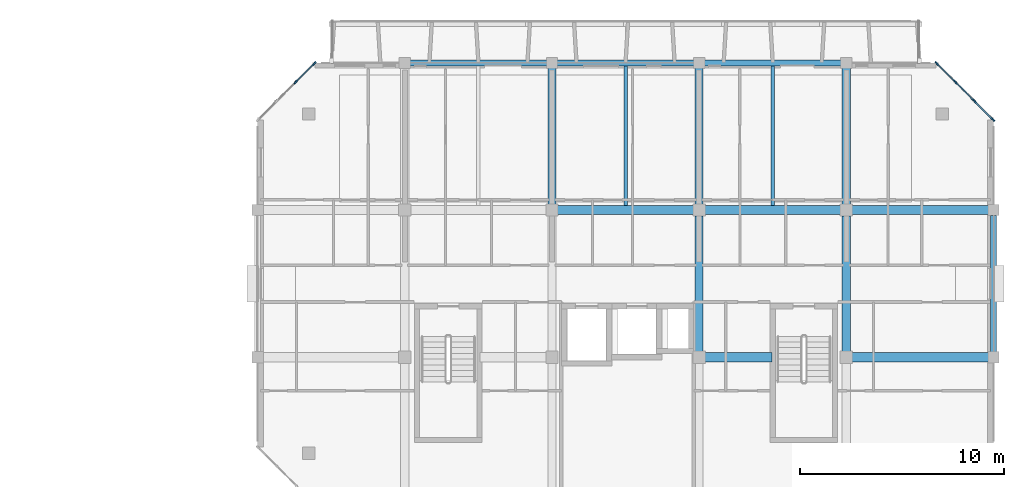
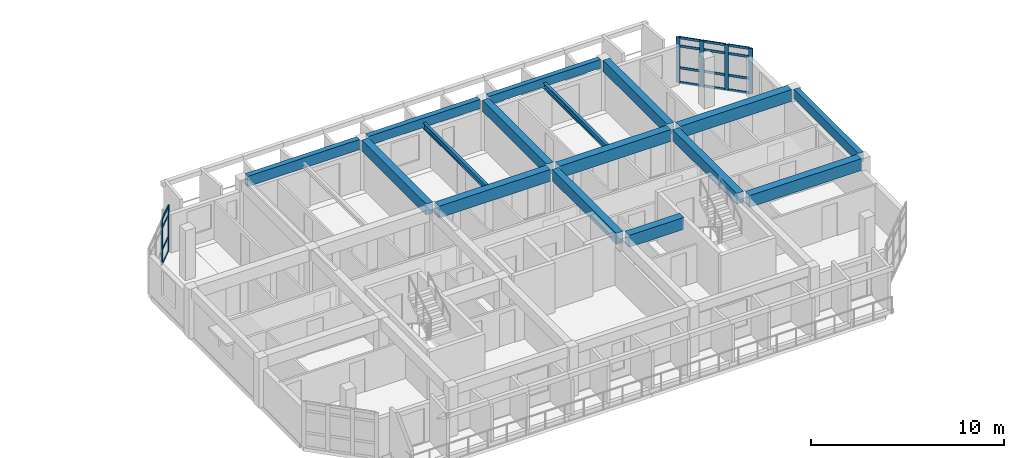
# One storey, part 11 of 51: 22 members, 16 beams, 2 elements without a shape of their own.
"""IFC4 building model written with IfcOpenShell, lengths in metres."""

from ifc_helpers import new_model, si_unit, direction, frame, origin, origin_2d, place, context, subcontext, project, spatial, rectangle, i_section, extrude, material, layer, layer_set, material_profile, profile_set, type_object, element, aggregate, save


model = new_model("IFC4")

# Units and contexts
model_context = context("Model", 3, precision=1e-05, world=origin(), true_north=direction((0.0, 1.0)))
body_context = subcontext(model_context, "Body", "Model", "MODEL_VIEW")
ifc_project = project(units=[si_unit("LENGTHUNIT", "METRE"), si_unit("AREAUNIT", "SQUARE_METRE"), si_unit("VOLUMEUNIT", "CUBIC_METRE"), si_unit("PLANEANGLEUNIT", "RADIAN"), si_unit("MASSUNIT", "GRAM", prefix="KILO")], contexts=[model_context])

# Site, building, storey
site_placement = place(None, origin())
site = spatial("IfcSite", under=ifc_project, at=site_placement, CompositionType="ELEMENT")
building_placement = place(site_placement, origin())
building = spatial("IfcBuilding", under=site, at=building_placement, Name="Ochrevale Crest", CompositionType="ELEMENT")
storey_placement = place(building_placement, frame((0.0, 0.0, 11.85009765625)))
storey = spatial("IfcBuildingStorey", under=building, at=storey_placement, Name="L03", CompositionType="ELEMENT", Elevation=11.85009765625)

# Beams
ifc_material_1 = material(Name="Precast concrete C50/60", Category="concrete")
ifc_material_profile_1 = material_profile(ifc_material_1, rectangle(XDim=0.39990234375, YDim=0.699951171875, at=origin_2d()), Name="PC 400x700")
ifc_profile_set_1 = profile_set([ifc_material_profile_1], Name="Precast concrete C50/60")
beam_type_1 = type_object("IfcBeamType", Name="BM-PC400x700", PredefinedType="BEAM", material=ifc_profile_set_1)
beam_1_placement = place(storey_placement, frame((144.0, 86.679931640625, 2.7998046875), z_axis=(0.0, 1.0, 0.0), x_axis=(-1.0, 0.0, 0.0)))
element("IfcBeam", 1, at=beam_1_placement, inside=storey, type_object=beam_type_1, Name="Block D L03 N-S beam X=144.0", PredefinedType="BEAM", context=body_context, shape_type="SweptSolid", body=[
    extrude(rectangle(XDim=0.39990234375, YDim=0.699951171875, at=origin_2d()), origin(), (0.0, 0.0, 1.0), 6.6650390625),
])
beam_2_placement = place(storey_placement, frame((151.199951171875, 79.47998046875, 2.7998046875), z_axis=(0.0, 1.0, 0.0), x_axis=(-1.0, 0.0, 0.0)))
element("IfcBeam", 2, at=beam_2_placement, inside=storey, type_object=beam_type_1, Name="Block D L03 N-S beam X=151.2", PredefinedType="BEAM", context=body_context, shape_type="SweptSolid", body=[
    extrude(rectangle(XDim=0.39990234375, YDim=0.699951171875, at=origin_2d()), origin(), (0.0, 0.0, 1.0), 6.64013671875),
])
beam_3_placement = place(storey_placement, frame((151.199951171875, 86.679931640625, 2.7998046875), z_axis=(0.0, 1.0, 0.0), x_axis=(-1.0, 0.0, 0.0)))
element("IfcBeam", 3, at=beam_3_placement, inside=storey, type_object=beam_type_1, Name="Block D L03 N-S beam X=151.2", PredefinedType="BEAM", context=body_context, shape_type="SweptSolid", body=[
    extrude(rectangle(XDim=0.39990234375, YDim=0.699951171875, at=origin_2d()), origin(), (0.0, 0.0, 1.0), 6.6650390625),
])
beam_4_placement = place(storey_placement, frame((158.39990234375, 79.47998046875, 2.7998046875), z_axis=(0.0, 1.0, 0.0), x_axis=(-1.0, 0.0, 0.0)))
element("IfcBeam", 4, at=beam_4_placement, inside=storey, type_object=beam_type_1, Name="Block D L03 N-S beam X=158.4", PredefinedType="BEAM", context=body_context, shape_type="SweptSolid", body=[
    extrude(rectangle(XDim=0.39990234375, YDim=0.699951171875, at=origin_2d()), origin(), (0.0, 0.0, 1.0), 6.64013671875),
])
beam_5_placement = place(storey_placement, frame((158.39990234375, 86.679931640625, 2.7998046875), z_axis=(0.0, 1.0, 0.0), x_axis=(-1.0, 0.0, 0.0)))
element("IfcBeam", 5, at=beam_5_placement, inside=storey, type_object=beam_type_1, Name="Block D L03 N-S beam X=158.4", PredefinedType="BEAM", context=body_context, shape_type="SweptSolid", body=[
    extrude(rectangle(XDim=0.39990234375, YDim=0.699951171875, at=origin_2d()), origin(), (0.0, 0.0, 1.0), 6.6650390625),
])
ifc_material_2 = material(Name="Concrete C50/60", Category="concrete")
ifc_material_profile_2 = material_profile(ifc_material_2, rectangle(XDim=0.449951171875, YDim=0.75, at=origin_2d()), Name="RC 450x750")
ifc_profile_set_2 = profile_set([ifc_material_profile_2], Name="Concrete C50/60")
beam_type_2 = type_object("IfcBeamType", Name="BM-PG450x750", PredefinedType="USERDEFINED", material=ifc_profile_set_2)
beam_6_placement = place(storey_placement, frame((151.47509765625, 79.199951171875, 2.77490234375), z_axis=(1.0, 0.0, 0.0), x_axis=(0.0, 1.0, 0.0)))
element("IfcBeam", 6, at=beam_6_placement, inside=storey, type_object=beam_type_2, Name="Block D L03 E-W beam Y=79.2", ObjectType="GIRDER", PredefinedType="USERDEFINED", context=body_context, shape_type="SweptSolid", body=[
    extrude(rectangle(XDim=0.449951171875, YDim=0.75, at=origin_2d()), origin(), (0.0, 0.0, 1.0), 3.284912109375),
])
beam_7_placement = place(storey_placement, frame((158.675048828125, 79.199951171875, 2.77490234375), z_axis=(1.0, 0.0, 0.0), x_axis=(0.0, 1.0, 0.0)))
element("IfcBeam", 7, at=beam_7_placement, inside=storey, type_object=beam_type_2, Name="Block D L03 E-W beam Y=79.2", ObjectType="GIRDER", PredefinedType="USERDEFINED", context=body_context, shape_type="SweptSolid", body=[
    extrude(rectangle(XDim=0.449951171875, YDim=0.75, at=origin_2d()), origin(), (0.0, 0.0, 1.0), 6.675048828125),
])
beam_8_placement = place(storey_placement, frame((144.27490234375, 86.39990234375, 2.77490234375), z_axis=(1.0, 0.0, 0.0), x_axis=(0.0, 1.0, 0.0)))
element("IfcBeam", 8, at=beam_8_placement, inside=storey, type_object=beam_type_2, Name="Block D L03 E-W beam Y=86.4", ObjectType="GIRDER", PredefinedType="USERDEFINED", context=body_context, shape_type="SweptSolid", body=[
    extrude(rectangle(XDim=0.449951171875, YDim=0.75, at=origin_2d()), origin(), (0.0, 0.0, 1.0), 6.650146484375),
])
beam_9_placement = place(storey_placement, frame((151.47509765625, 86.39990234375, 2.77490234375), z_axis=(1.0, 0.0, 0.0), x_axis=(0.0, 1.0, 0.0)))
element("IfcBeam", 9, at=beam_9_placement, inside=storey, type_object=beam_type_2, Name="Block D L03 E-W beam Y=86.4", ObjectType="GIRDER", PredefinedType="USERDEFINED", context=body_context, shape_type="SweptSolid", body=[
    extrude(rectangle(XDim=0.449951171875, YDim=0.75, at=origin_2d()), origin(), (0.0, 0.0, 1.0), 6.64990234375),
])
beam_10_placement = place(storey_placement, frame((158.675048828125, 86.39990234375, 2.77490234375), z_axis=(1.0, 0.0, 0.0), x_axis=(0.0, 1.0, 0.0)))
element("IfcBeam", 10, at=beam_10_placement, inside=storey, type_object=beam_type_2, Name="Block D L03 E-W beam Y=86.4", ObjectType="GIRDER", PredefinedType="USERDEFINED", context=body_context, shape_type="SweptSolid", body=[
    extrude(rectangle(XDim=0.449951171875, YDim=0.75, at=origin_2d()), origin(), (0.0, 0.0, 1.0), 6.675048828125),
])
ifc_material_3 = material(Name="Precast concrete C40/50", Category="concrete")
ifc_material_profile_3 = material_profile(ifc_material_3, rectangle(XDim=0.280029296875, YDim=0.550048828125, at=origin_2d()), Name="PC 280x550")
ifc_profile_set_3 = profile_set([ifc_material_profile_3], Name="Precast concrete C40/50")
beam_type_3 = type_object("IfcBeamType", Name="BM-SP280x550", PredefinedType="SPANDREL", material=ifc_profile_set_3)
beam_11_placement = place(storey_placement, frame((151.449951171875, 93.60009765625, 2.875), z_axis=(1.0, 0.0, 0.0), x_axis=(0.0, 1.0, 0.0)))
element("IfcBeam", 11, at=beam_11_placement, inside=storey, type_object=beam_type_3, Name="Block D L03 E-W beam Y=93.6", PredefinedType="SPANDREL", context=body_context, shape_type="SweptSolid", body=[
    extrude(rectangle(XDim=0.280029296875, YDim=0.550048828125, at=origin_2d()), origin(), (0.0, 0.0, 1.0), 6.699951171875),
])
ifc_material_profile_4 = material_profile(ifc_material_3, rectangle(XDim=0.300048828125, YDim=0.580078125, at=origin_2d()), Name="PC 300x580")
ifc_profile_set_4 = profile_set([ifc_material_profile_4], Name="Precast concrete C40/50")
beam_type_4 = type_object("IfcBeamType", Name="BM-SP300x580", PredefinedType="SPANDREL", material=ifc_profile_set_4)
beam_12_placement = place(storey_placement, frame((144.25, 93.60009765625, 2.85986328125), z_axis=(1.0, 0.0, 0.0), x_axis=(0.0, 1.0, 0.0)))
element("IfcBeam", 12, at=beam_12_placement, inside=storey, type_object=beam_type_4, Name="Block D L03 E-W beam Y=93.6", PredefinedType="SPANDREL", context=body_context, shape_type="SweptSolid", body=[
    extrude(rectangle(XDim=0.300048828125, YDim=0.580078125, at=origin_2d()), origin(), (0.0, 0.0, 1.0), 6.699951171875),
])
ifc_material_profile_5 = material_profile(ifc_material_3, rectangle(XDim=0.300048828125, YDim=0.60009765625, at=origin_2d()), Name="PC 300x600")
ifc_profile_set_5 = profile_set([ifc_material_profile_5], Name="Precast concrete C40/50")
beam_type_5 = type_object("IfcBeamType", Name="BM-SP300x600", PredefinedType="SPANDREL", material=ifc_profile_set_5)
beam_13_placement = place(storey_placement, frame((165.60009765625, 79.455078125, 2.849853515625), z_axis=(0.0, 1.0, 0.0), x_axis=(-1.0, 0.0, 0.0)))
element("IfcBeam", 13, at=beam_13_placement, inside=storey, type_object=beam_type_5, Name="Block D L03 N-S beam X=165.6", PredefinedType="SPANDREL", context=body_context, shape_type="SweptSolid", body=[
    extrude(rectangle(XDim=0.300048828125, YDim=0.60009765625, at=origin_2d()), origin(), (0.0, 0.0, 1.0), 6.68994140625),
])
ifc_material_profile_6 = material_profile(ifc_material_3, rectangle(XDim=0.300048828125, YDim=0.64990234375, at=origin_2d()), Name="PC 300x650")
ifc_profile_set_6 = profile_set([ifc_material_profile_6], Name="Precast concrete C40/50")
beam_type_6 = type_object("IfcBeamType", Name="BM-SP300x650", PredefinedType="SPANDREL", material=ifc_profile_set_6)
beam_14_placement = place(storey_placement, frame((137.050048828125, 93.60009765625, 2.824951171875), z_axis=(1.0, 0.0, 0.0), x_axis=(0.0, 1.0, 0.0)))
element("IfcBeam", 14, at=beam_14_placement, inside=storey, type_object=beam_type_6, Name="Block D L03 E-W beam Y=93.6", PredefinedType="SPANDREL", context=body_context, shape_type="SweptSolid", body=[
    extrude(rectangle(XDim=0.300048828125, YDim=0.64990234375, at=origin_2d()), origin(), (0.0, 0.0, 1.0), 6.699951171875),
])
ifc_material_4 = material(Name="Steel S355", Category="steel")
ifc_material_profile_7 = material_profile(ifc_material_4, i_section(OverallWidth=0.17138671875, OverallDepth=0.355712890625, WebThickness=0.00732421875, FlangeThickness=0.011474609375, FilletRadius=0.011474609375, at=origin_2d()), Name="360UB50.7")
ifc_profile_set_7 = profile_set([ifc_material_profile_7], Name="Steel S355")
beam_type_7 = type_object("IfcBeamType", Name="BM-UB360A", PredefinedType="BEAM", material=ifc_profile_set_7)
beam_15_placement = place(storey_placement, frame((147.60009765625, 86.613037109375, 2.697021484375), z_axis=(0.0, 1.0, 0.0), x_axis=(-1.0, 0.0, 0.0)))
element("IfcBeam", 15, at=beam_15_placement, inside=storey, type_object=beam_type_7, Name="Block D L03 composite plank trimmer beam 3", PredefinedType="BEAM", context=body_context, shape_type="SweptSolid", body=[
    extrude(i_section(OverallWidth=0.17138671875, OverallDepth=0.355712890625, WebThickness=0.00732421875, FlangeThickness=0.011474609375, FilletRadius=0.011474609375, at=origin_2d()), origin(), (0.0, 0.0, 1.0), 6.848876953125),
])
ifc_material_profile_8 = material_profile(ifc_material_4, i_section(OverallWidth=0.172119140625, OverallDepth=0.358642578125, WebThickness=0.008056640625, FlangeThickness=0.012939453125, FilletRadius=0.011474609375, at=origin_2d()), Name="360UB56.7")
ifc_profile_set_8 = profile_set([ifc_material_profile_8], Name="Steel S355")
beam_type_8 = type_object("IfcBeamType", Name="BM-UB360B", PredefinedType="BEAM", material=ifc_profile_set_8)
beam_16_placement = place(storey_placement, frame((154.800048828125, 86.613037109375, 2.695556640625), z_axis=(0.0, 1.0, 0.0), x_axis=(-1.0, 0.0, 0.0)))
element("IfcBeam", 16, at=beam_16_placement, inside=storey, type_object=beam_type_8, Name="Block D L03 composite plank trimmer beam 4", PredefinedType="BEAM", context=body_context, shape_type="SweptSolid", body=[
    extrude(i_section(OverallWidth=0.172119140625, OverallDepth=0.358642578125, WebThickness=0.008056640625, FlangeThickness=0.012939453125, FilletRadius=0.011474609375, at=origin_2d()), origin(), (0.0, 0.0, 1.0), 6.85888671875),
])

# Curtain wall, members
ifc_material_5 = material(Name="Anodised aluminium 6063-T5", Category="aluminium")
ifc_layer_1 = layer(ifc_material_5, 0.14990234375)
ifc_layer_set_1 = layer_set([ifc_layer_1], Name="Anodised aluminium 6063-T5")
curtain_wall_type_1 = type_object("IfcCurtainWallType", Name="CW-WG-320x285", PredefinedType="NOTDEFINED", material=ifc_layer_set_1)
curtain_wall_1_placement = place(storey_placement, origin())
curtain_wall_1 = element("IfcCurtainWall", 17, at=curtain_wall_1_placement, inside=storey, type_object=curtain_wall_type_1, Name="Block D L03 chamfered corner wintergarden curtain wall 4", PredefinedType="NOTDEFINED")
ifc_material_profile_9 = material_profile(ifc_material_5, rectangle(XDim=0.074951171875, YDim=0.219970703125, at=origin_2d()), Name="ALU 75x220")
ifc_profile_set_9 = profile_set([ifc_material_profile_9], Name="Anodised aluminium 6063-T5")
member_type_1 = type_object("IfcMemberType", Name="CW-MUL-75x220", PredefinedType="MULLION", material=ifc_profile_set_9)
member_1_placement = place(storey_placement, frame((165.573486328125, 90.826416015625, 0.0), z_axis=(0.0, 0.0, 1.0), x_axis=(-0.707106781187, -0.707106781187, 0.0)))
member_1 = element("IfcMember", 18, at=member_1_placement, type_object=member_type_1, Name="CW17 mullion 1", PredefinedType="MULLION", context=body_context, shape_type="SweptSolid", body=[
    extrude(rectangle(XDim=0.074951171875, YDim=0.219970703125, at=origin_2d()), origin(), (0.0, 0.0, 1.0), 2.875),
])
member_2_placement = place(storey_placement, frame((164.666748046875, 91.7333984375, 0.0), z_axis=(0.0, 0.0, 1.0), x_axis=(-0.707106781187, -0.707106781187, 0.0)))
member_2 = element("IfcMember", 19, at=member_2_placement, type_object=member_type_1, Name="CW17 mullion 2", PredefinedType="MULLION", context=body_context, shape_type="SweptSolid", body=[
    extrude(rectangle(XDim=0.074951171875, YDim=0.219970703125, at=origin_2d()), origin(), (0.0, 0.0, 1.0), 2.875),
])
member_3_placement = place(storey_placement, frame((163.7333984375, 92.666748046875, 0.0), z_axis=(0.0, 0.0, 1.0), x_axis=(-0.707106781187, -0.707106781187, 0.0)))
member_3 = element("IfcMember", 20, at=member_3_placement, type_object=member_type_1, Name="CW17 mullion 3", PredefinedType="MULLION", context=body_context, shape_type="SweptSolid", body=[
    extrude(rectangle(XDim=0.074951171875, YDim=0.219970703125, at=origin_2d()), origin(), (0.0, 0.0, 1.0), 2.875),
])
member_4_placement = place(storey_placement, frame((162.826416015625, 93.573486328125, 0.0), z_axis=(0.0, 0.0, 1.0), x_axis=(-0.707106781187, -0.707106781187, 0.0)))
member_4 = element("IfcMember", 21, at=member_4_placement, type_object=member_type_1, Name="CW17 mullion 4", PredefinedType="MULLION", context=body_context, shape_type="SweptSolid", body=[
    extrude(rectangle(XDim=0.074951171875, YDim=0.219970703125, at=origin_2d()), origin(), (0.0, 0.0, 1.0), 2.875),
])

ifc_layer_2 = layer(ifc_material_5, 0.14990234375)
ifc_layer_set_2 = layer_set([ifc_layer_2], Name="Anodised aluminium 6063-T5")
curtain_wall_type_2 = type_object("IfcCurtainWallType", Name="CW-WG-420x285", PredefinedType="NOTDEFINED", material=ifc_layer_set_2)
curtain_wall_2_placement = place(storey_placement, origin())
curtain_wall_2 = element("IfcCurtainWall", 22, at=curtain_wall_2_placement, inside=storey, type_object=curtain_wall_type_2, Name="Block D L03 chamfered corner wintergarden curtain wall 6", PredefinedType="NOTDEFINED")
member_5_placement = place(storey_placement, frame((132.37353515625, 93.573486328125, 0.0), z_axis=(0.0, 0.0, 1.0), x_axis=(0.707106781187, -0.707106781187, 0.0)))
member_5 = element("IfcMember", 23, at=member_5_placement, type_object=member_type_1, Name="CW22 mullion 1", PredefinedType="MULLION", context=body_context, shape_type="SweptSolid", body=[
    extrude(rectangle(XDim=0.074951171875, YDim=0.219970703125, at=origin_2d()), origin(), (0.0, 0.0, 1.0), 2.875),
])
member_6_placement = place(storey_placement, frame((131.466552734375, 92.666748046875, 0.0), z_axis=(0.0, 0.0, 1.0), x_axis=(0.707106781187, -0.707106781187, 0.0)))
member_6 = element("IfcMember", 24, at=member_6_placement, type_object=member_type_1, Name="CW22 mullion 2", PredefinedType="MULLION", context=body_context, shape_type="SweptSolid", body=[
    extrude(rectangle(XDim=0.074951171875, YDim=0.219970703125, at=origin_2d()), origin(), (0.0, 0.0, 1.0), 2.875),
])

# Member
ifc_material_profile_10 = material_profile(ifc_material_5, rectangle(XDim=0.06005859375, YDim=0.14990234375, at=origin_2d()), Name="ALU 60x150")
ifc_profile_set_10 = profile_set([ifc_material_profile_10], Name="Anodised aluminium 6063-T5")
member_type_2 = type_object("IfcMemberType", Name="CW-TRN-60x150", PredefinedType="USERDEFINED", material=ifc_profile_set_10)
member_7_placement = place(storey_placement, frame((165.546875, 90.85302734375, 0.02978515625), z_axis=(-0.707106781187, 0.707106781187, 0.0), x_axis=(-0.707106781187, -0.707106781187, 0.0)))
member_7 = element("IfcMember", 25, at=member_7_placement, type_object=member_type_2, Name="CW17 transom 1.1", ObjectType="TRANSOM", PredefinedType="USERDEFINED", context=body_context, shape_type="SweptSolid", body=[
    extrude(rectangle(XDim=0.06005859375, YDim=0.14990234375, at=origin_2d()), origin(), (0.0, 0.0, 1.0), 1.20751953125),
])

member_8_placement = place(storey_placement, frame((165.546875, 90.85302734375, 0.949951171875), z_axis=(-0.707106781187, 0.707106781187, 0.0), x_axis=(-0.707106781187, -0.707106781187, 0.0)))
member_8 = element("IfcMember", 26, at=member_8_placement, type_object=member_type_2, Name="CW17 transom 1.2", ObjectType="TRANSOM", PredefinedType="USERDEFINED", context=body_context, shape_type="SweptSolid", body=[
    extrude(rectangle(XDim=0.06005859375, YDim=0.14990234375, at=origin_2d()), origin(), (0.0, 0.0, 1.0), 1.20751953125),
])

member_9_placement = place(storey_placement, frame((165.546875, 90.85302734375, 2.324951171875), z_axis=(-0.707106781187, 0.707106781187, 0.0), x_axis=(-0.707106781187, -0.707106781187, 0.0)))
member_9 = element("IfcMember", 27, at=member_9_placement, type_object=member_type_2, Name="CW17 transom 1.3", ObjectType="TRANSOM", PredefinedType="USERDEFINED", context=body_context, shape_type="SweptSolid", body=[
    extrude(rectangle(XDim=0.06005859375, YDim=0.14990234375, at=origin_2d()), origin(), (0.0, 0.0, 1.0), 1.20751953125),
])

member_10_placement = place(storey_placement, frame((165.546875, 90.85302734375, 2.844970703125), z_axis=(-0.707106781187, 0.707106781187, 0.0), x_axis=(-0.707106781187, -0.707106781187, 0.0)))
member_10 = element("IfcMember", 28, at=member_10_placement, type_object=member_type_2, Name="CW17 transom 1.4", ObjectType="TRANSOM", PredefinedType="USERDEFINED", context=body_context, shape_type="SweptSolid", body=[
    extrude(rectangle(XDim=0.06005859375, YDim=0.14990234375, at=origin_2d()), origin(), (0.0, 0.0, 1.0), 1.20751953125),
])

member_11_placement = place(storey_placement, frame((164.64013671875, 91.759765625, 0.02978515625), z_axis=(-0.707106781187, 0.707106781187, 0.0), x_axis=(-0.707106781187, -0.707106781187, 0.0)))
member_11 = element("IfcMember", 29, at=member_11_placement, type_object=member_type_2, Name="CW17 transom 2.1", ObjectType="TRANSOM", PredefinedType="USERDEFINED", context=body_context, shape_type="SweptSolid", body=[
    extrude(rectangle(XDim=0.06005859375, YDim=0.14990234375, at=origin_2d()), origin(), (0.0, 0.0, 1.0), 1.2451171875),
])

member_12_placement = place(storey_placement, frame((164.64013671875, 91.759765625, 0.949951171875), z_axis=(-0.707106781187, 0.707106781187, 0.0), x_axis=(-0.707106781187, -0.707106781187, 0.0)))
member_12 = element("IfcMember", 30, at=member_12_placement, type_object=member_type_2, Name="CW17 transom 2.2", ObjectType="TRANSOM", PredefinedType="USERDEFINED", context=body_context, shape_type="SweptSolid", body=[
    extrude(rectangle(XDim=0.06005859375, YDim=0.14990234375, at=origin_2d()), origin(), (0.0, 0.0, 1.0), 1.2451171875),
])

member_13_placement = place(storey_placement, frame((164.64013671875, 91.759765625, 2.324951171875), z_axis=(-0.707106781187, 0.707106781187, 0.0), x_axis=(-0.707106781187, -0.707106781187, 0.0)))
member_13 = element("IfcMember", 31, at=member_13_placement, type_object=member_type_2, Name="CW17 transom 2.3", ObjectType="TRANSOM", PredefinedType="USERDEFINED", context=body_context, shape_type="SweptSolid", body=[
    extrude(rectangle(XDim=0.06005859375, YDim=0.14990234375, at=origin_2d()), origin(), (0.0, 0.0, 1.0), 1.2451171875),
])

member_14_placement = place(storey_placement, frame((164.64013671875, 91.759765625, 2.844970703125), z_axis=(-0.707106781187, 0.707106781187, 0.0), x_axis=(-0.707106781187, -0.707106781187, 0.0)))
member_14 = element("IfcMember", 32, at=member_14_placement, type_object=member_type_2, Name="CW17 transom 2.4", ObjectType="TRANSOM", PredefinedType="USERDEFINED", context=body_context, shape_type="SweptSolid", body=[
    extrude(rectangle(XDim=0.06005859375, YDim=0.14990234375, at=origin_2d()), origin(), (0.0, 0.0, 1.0), 1.2451171875),
])

member_15_placement = place(storey_placement, frame((163.706787109375, 92.693115234375, 0.02978515625), z_axis=(-0.707106781187, 0.707106781187, 0.0), x_axis=(-0.707106781187, -0.707106781187, 0.0)))
member_15 = element("IfcMember", 33, at=member_15_placement, type_object=member_type_2, Name="CW17 transom 3.1", ObjectType="TRANSOM", PredefinedType="USERDEFINED", context=body_context, shape_type="SweptSolid", body=[
    extrude(rectangle(XDim=0.06005859375, YDim=0.14990234375, at=origin_2d()), origin(), (0.0, 0.0, 1.0), 1.20751953125),
])

member_16_placement = place(storey_placement, frame((163.706787109375, 92.693115234375, 0.949951171875), z_axis=(-0.707106781187, 0.707106781187, 0.0), x_axis=(-0.707106781187, -0.707106781187, 0.0)))
member_16 = element("IfcMember", 34, at=member_16_placement, type_object=member_type_2, Name="CW17 transom 3.2", ObjectType="TRANSOM", PredefinedType="USERDEFINED", context=body_context, shape_type="SweptSolid", body=[
    extrude(rectangle(XDim=0.06005859375, YDim=0.14990234375, at=origin_2d()), origin(), (0.0, 0.0, 1.0), 1.20751953125),
])

member_17_placement = place(storey_placement, frame((163.706787109375, 92.693115234375, 2.324951171875), z_axis=(-0.707106781187, 0.707106781187, 0.0), x_axis=(-0.707106781187, -0.707106781187, 0.0)))
member_17 = element("IfcMember", 35, at=member_17_placement, type_object=member_type_2, Name="CW17 transom 3.3", ObjectType="TRANSOM", PredefinedType="USERDEFINED", context=body_context, shape_type="SweptSolid", body=[
    extrude(rectangle(XDim=0.06005859375, YDim=0.14990234375, at=origin_2d()), origin(), (0.0, 0.0, 1.0), 1.20751953125),
])

member_18_placement = place(storey_placement, frame((163.706787109375, 92.693115234375, 2.844970703125), z_axis=(-0.707106781187, 0.707106781187, 0.0), x_axis=(-0.707106781187, -0.707106781187, 0.0)))
member_18 = element("IfcMember", 36, at=member_18_placement, type_object=member_type_2, Name="CW17 transom 3.4", ObjectType="TRANSOM", PredefinedType="USERDEFINED", context=body_context, shape_type="SweptSolid", body=[
    extrude(rectangle(XDim=0.06005859375, YDim=0.14990234375, at=origin_2d()), origin(), (0.0, 0.0, 1.0), 1.20751953125),
])

aggregate(curtain_wall_1, [member_1, member_2, member_3, member_4, member_7, member_8, member_9, member_10, member_11, member_12, member_13, member_14, member_15, member_16, member_17, member_18])

member_19_placement = place(storey_placement, frame((132.346923828125, 93.546875, 0.02978515625), z_axis=(-0.707106781187, -0.707106781187, 0.0), x_axis=(0.707106781187, -0.707106781187, 0.0)))
member_19 = element("IfcMember", 37, at=member_19_placement, type_object=member_type_2, Name="CW22 transom 1.1", ObjectType="TRANSOM", PredefinedType="USERDEFINED", context=body_context, shape_type="SweptSolid", body=[
    extrude(rectangle(XDim=0.06005859375, YDim=0.14990234375, at=origin_2d()), origin(), (0.0, 0.0, 1.0), 1.20751953125),
])

member_20_placement = place(storey_placement, frame((132.346923828125, 93.546875, 0.949951171875), z_axis=(-0.707106781187, -0.707106781187, 0.0), x_axis=(0.707106781187, -0.707106781187, 0.0)))
member_20 = element("IfcMember", 38, at=member_20_placement, type_object=member_type_2, Name="CW22 transom 1.2", ObjectType="TRANSOM", PredefinedType="USERDEFINED", context=body_context, shape_type="SweptSolid", body=[
    extrude(rectangle(XDim=0.06005859375, YDim=0.14990234375, at=origin_2d()), origin(), (0.0, 0.0, 1.0), 1.20751953125),
])

member_21_placement = place(storey_placement, frame((132.346923828125, 93.546875, 2.324951171875), z_axis=(-0.707106781187, -0.707106781187, 0.0), x_axis=(0.707106781187, -0.707106781187, 0.0)))
member_21 = element("IfcMember", 39, at=member_21_placement, type_object=member_type_2, Name="CW22 transom 1.3", ObjectType="TRANSOM", PredefinedType="USERDEFINED", context=body_context, shape_type="SweptSolid", body=[
    extrude(rectangle(XDim=0.06005859375, YDim=0.14990234375, at=origin_2d()), origin(), (0.0, 0.0, 1.0), 1.20751953125),
])

member_22_placement = place(storey_placement, frame((132.346923828125, 93.546875, 2.844970703125), z_axis=(-0.707106781187, -0.707106781187, 0.0), x_axis=(0.707106781187, -0.707106781187, 0.0)))
member_22 = element("IfcMember", 40, at=member_22_placement, type_object=member_type_2, Name="CW22 transom 1.4", ObjectType="TRANSOM", PredefinedType="USERDEFINED", context=body_context, shape_type="SweptSolid", body=[
    extrude(rectangle(XDim=0.06005859375, YDim=0.14990234375, at=origin_2d()), origin(), (0.0, 0.0, 1.0), 1.20751953125),
])

aggregate(curtain_wall_2, [member_5, member_6, member_19, member_20, member_21, member_22])

save(model, "model.ifc")
